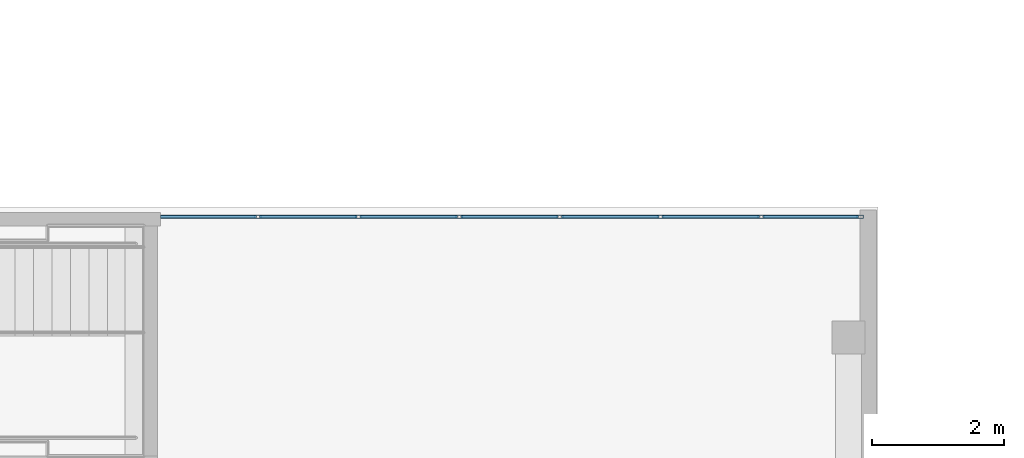
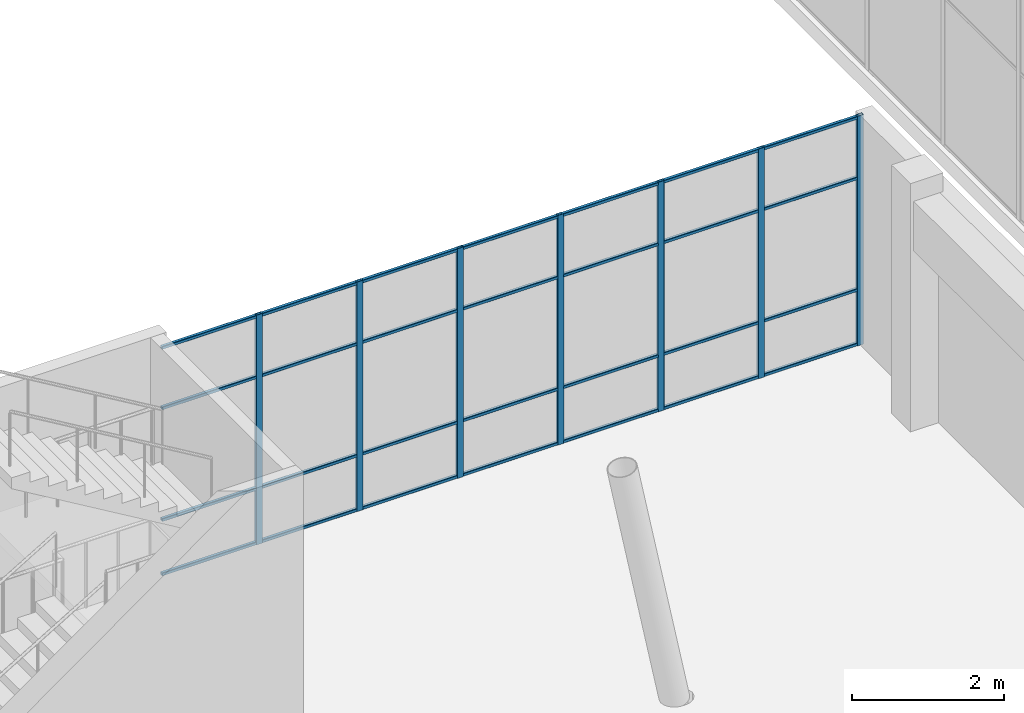
# One storey, part 25 of 66: 35 members, 1 element without a shape of its own.
"""IFC4 building model written with IfcOpenShell, lengths in metres."""

from ifc_helpers import new_model, si_unit, direction, frame, origin, origin_2d, place, context, subcontext, project, spatial, hollow_rectangle, extrude, material, layer, layer_set, material_profile, profile_set, type_object, element, aggregate, save


model = new_model("IFC4")

# Units and contexts
model_context = context("Model", 3, precision=1e-05, world=origin(), true_north=direction((0.0, 1.0)))
body_context = subcontext(model_context, "Body", "Model", "MODEL_VIEW")
ifc_project = project(units=[si_unit("LENGTHUNIT", "METRE"), si_unit("AREAUNIT", "SQUARE_METRE"), si_unit("VOLUMEUNIT", "CUBIC_METRE"), si_unit("PLANEANGLEUNIT", "RADIAN"), si_unit("MASSUNIT", "GRAM", prefix="KILO")], contexts=[model_context])

# Site, building, storey
site_placement = place(None, origin())
site = spatial("IfcSite", under=ifc_project, at=site_placement, CompositionType="ELEMENT")
building_placement = place(site_placement, origin())
building = spatial("IfcBuilding", under=site, at=building_placement, Name="Tuart Plaza Theatre", CompositionType="ELEMENT")
storey_placement = place(building_placement, frame((0.0, 0.0, 5.5)))
storey = spatial("IfcBuildingStorey", under=building, at=storey_placement, Name="L01", CompositionType="ELEMENT", Elevation=5.5)

# Curtain wall, members
ifc_material_1 = material(Name="Aluminium and glass", Category="aluminium")
ifc_layer = layer(ifc_material_1, 0.10009765625)
ifc_layer_set = layer_set([ifc_layer], Name="CURTAIN WALL 1500 module")
curtain_wall_type = type_object("IfcCurtainWallType", Name="CURTAIN WALL 1500 module", PredefinedType="NOTDEFINED", material=ifc_layer_set)
curtain_wall_placement = place(storey_placement, origin())
curtain_wall = element("IfcCurtainWall", 1, at=curtain_wall_placement, inside=storey, type_object=curtain_wall_type, Name="CW24", PredefinedType="NOTDEFINED")
ifc_material_2 = material(Name="Aluminium 6063-T5", Category="aluminium")
ifc_material_profile_1 = material_profile(ifc_material_2, hollow_rectangle(XDim=0.050048828125, YDim=0.10009765625, WallThickness=0.00390625, InnerFilletRadius=0.00390625, OuterFilletRadius=0.008056640625, at=origin_2d()), Name="RHS 100x50x4")
ifc_profile_set_1 = profile_set([ifc_material_profile_1], Name="Aluminium 6063-T5")
member_type_1 = type_object("IfcMemberType", Name="MULLION RHS 100x50x4", PredefinedType="MULLION", material=ifc_profile_set_1)
member_1_placement = place(storey_placement, frame((100.930419921875, 79.8369140625, 0.0), z_axis=(0.0, 0.0, 1.0), x_axis=(0.0, 1.0, 0.0)))
member_1 = element("IfcMember", 2, at=member_1_placement, type_object=member_type_1, Name="CW24 mullion 2", PredefinedType="MULLION", context=body_context, shape_type="SweptSolid", body=[
    extrude(hollow_rectangle(XDim=0.050048828125, YDim=0.10009765625, WallThickness=0.00390625, InnerFilletRadius=0.00390625, OuterFilletRadius=0.008056640625, at=origin_2d()), origin(), (0.0, 0.0, 1.0), 3.699951171875),
])
member_2_placement = place(storey_placement, frame((102.4609375, 79.8369140625, 0.0), z_axis=(0.0, 0.0, 1.0), x_axis=(0.0, 1.0, 0.0)))
member_2 = element("IfcMember", 3, at=member_2_placement, type_object=member_type_1, Name="CW24 mullion 3", PredefinedType="MULLION", context=body_context, shape_type="SweptSolid", body=[
    extrude(hollow_rectangle(XDim=0.050048828125, YDim=0.10009765625, WallThickness=0.00390625, InnerFilletRadius=0.00390625, OuterFilletRadius=0.008056640625, at=origin_2d()), origin(), (0.0, 0.0, 1.0), 3.699951171875),
])
member_3_placement = place(storey_placement, frame((103.9912109375, 79.8369140625, 0.0), z_axis=(0.0, 0.0, 1.0), x_axis=(0.0, 1.0, 0.0)))
member_3 = element("IfcMember", 4, at=member_3_placement, type_object=member_type_1, Name="CW24 mullion 4", PredefinedType="MULLION", context=body_context, shape_type="SweptSolid", body=[
    extrude(hollow_rectangle(XDim=0.050048828125, YDim=0.10009765625, WallThickness=0.00390625, InnerFilletRadius=0.00390625, OuterFilletRadius=0.008056640625, at=origin_2d()), origin(), (0.0, 0.0, 1.0), 3.699951171875),
])
member_4_placement = place(storey_placement, frame((105.521728515625, 79.8369140625, 0.0), z_axis=(0.0, 0.0, 1.0), x_axis=(0.0, 1.0, 0.0)))
member_4 = element("IfcMember", 5, at=member_4_placement, type_object=member_type_1, Name="CW24 mullion 5", PredefinedType="MULLION", context=body_context, shape_type="SweptSolid", body=[
    extrude(hollow_rectangle(XDim=0.050048828125, YDim=0.10009765625, WallThickness=0.00390625, InnerFilletRadius=0.00390625, OuterFilletRadius=0.008056640625, at=origin_2d()), origin(), (0.0, 0.0, 1.0), 3.699951171875),
])
member_5_placement = place(storey_placement, frame((107.05224609375, 79.8369140625, 0.0), z_axis=(0.0, 0.0, 1.0), x_axis=(0.0, 1.0, 0.0)))
member_5 = element("IfcMember", 6, at=member_5_placement, type_object=member_type_1, Name="CW24 mullion 6", PredefinedType="MULLION", context=body_context, shape_type="SweptSolid", body=[
    extrude(hollow_rectangle(XDim=0.050048828125, YDim=0.10009765625, WallThickness=0.00390625, InnerFilletRadius=0.00390625, OuterFilletRadius=0.008056640625, at=origin_2d()), origin(), (0.0, 0.0, 1.0), 3.699951171875),
])
member_6_placement = place(storey_placement, frame((108.58251953125, 79.8369140625, 0.0), z_axis=(0.0, 0.0, 1.0), x_axis=(0.0, 1.0, 0.0)))
member_6 = element("IfcMember", 7, at=member_6_placement, type_object=member_type_1, Name="CW24 mullion 7", PredefinedType="MULLION", context=body_context, shape_type="SweptSolid", body=[
    extrude(hollow_rectangle(XDim=0.050048828125, YDim=0.10009765625, WallThickness=0.00390625, InnerFilletRadius=0.00390625, OuterFilletRadius=0.008056640625, at=origin_2d()), origin(), (0.0, 0.0, 1.0), 3.699951171875),
])
member_7_placement = place(storey_placement, frame((110.087890625, 79.8369140625, 0.0), z_axis=(0.0, 0.0, 1.0), x_axis=(0.0, 1.0, 0.0)))
member_7 = element("IfcMember", 8, at=member_7_placement, type_object=member_type_1, Name="CW24 mullion 8", PredefinedType="MULLION", context=body_context, shape_type="SweptSolid", body=[
    extrude(hollow_rectangle(XDim=0.050048828125, YDim=0.10009765625, WallThickness=0.00390625, InnerFilletRadius=0.00390625, OuterFilletRadius=0.008056640625, at=origin_2d()), origin(), (0.0, 0.0, 1.0), 3.699951171875),
])
ifc_material_3 = material(Name="Aluminium 6063-T5", Category="aluminium")
ifc_material_profile_2 = material_profile(ifc_material_3, hollow_rectangle(XDim=0.050048828125, YDim=0.050048828125, WallThickness=0.00390625, InnerFilletRadius=0.00390625, OuterFilletRadius=0.008056640625, at=origin_2d()), Name="RHS 50x50x4")
ifc_profile_set_2 = profile_set([ifc_material_profile_2], Name="Aluminium 6063-T5")
member_type_2 = type_object("IfcMemberType", Name="TRANSOM RHS 50x50x4", PredefinedType="USERDEFINED", material=ifc_profile_set_2)
member_8_placement = place(storey_placement, frame((99.449951171875, 79.8369140625, 0.02490234375), z_axis=(1.0, 0.0, 0.0), x_axis=(0.0, 1.0, 0.0)))
member_8 = element("IfcMember", 9, at=member_8_placement, type_object=member_type_2, Name="CW24 transom 1.1", ObjectType="TRANSOM", PredefinedType="USERDEFINED", context=body_context, shape_type="SweptSolid", body=[
    extrude(hollow_rectangle(XDim=0.050048828125, YDim=0.050048828125, WallThickness=0.00390625, InnerFilletRadius=0.00390625, OuterFilletRadius=0.008056640625, at=origin_2d()), origin(), (0.0, 0.0, 1.0), 1.45556640625),
])
member_9_placement = place(storey_placement, frame((99.449951171875, 79.8369140625, 0.89990234375), z_axis=(1.0, 0.0, 0.0), x_axis=(0.0, 1.0, 0.0)))
member_9 = element("IfcMember", 10, at=member_9_placement, type_object=member_type_2, Name="CW24 transom 1.2", ObjectType="TRANSOM", PredefinedType="USERDEFINED", context=body_context, shape_type="SweptSolid", body=[
    extrude(hollow_rectangle(XDim=0.050048828125, YDim=0.050048828125, WallThickness=0.00390625, InnerFilletRadius=0.00390625, OuterFilletRadius=0.008056640625, at=origin_2d()), origin(), (0.0, 0.0, 1.0), 1.45556640625),
])
member_10_placement = place(storey_placement, frame((99.449951171875, 79.8369140625, 2.699951171875), z_axis=(1.0, 0.0, 0.0), x_axis=(0.0, 1.0, 0.0)))
member_10 = element("IfcMember", 11, at=member_10_placement, type_object=member_type_2, Name="CW24 transom 1.3", ObjectType="TRANSOM", PredefinedType="USERDEFINED", context=body_context, shape_type="SweptSolid", body=[
    extrude(hollow_rectangle(XDim=0.050048828125, YDim=0.050048828125, WallThickness=0.00390625, InnerFilletRadius=0.00390625, OuterFilletRadius=0.008056640625, at=origin_2d()), origin(), (0.0, 0.0, 1.0), 1.45556640625),
])
member_11_placement = place(storey_placement, frame((99.449951171875, 79.8369140625, 3.675048828125), z_axis=(1.0, 0.0, 0.0), x_axis=(0.0, 1.0, 0.0)))
member_11 = element("IfcMember", 12, at=member_11_placement, type_object=member_type_2, Name="CW24 transom 1.4", ObjectType="TRANSOM", PredefinedType="USERDEFINED", context=body_context, shape_type="SweptSolid", body=[
    extrude(hollow_rectangle(XDim=0.050048828125, YDim=0.050048828125, WallThickness=0.00390625, InnerFilletRadius=0.00390625, OuterFilletRadius=0.008056640625, at=origin_2d()), origin(), (0.0, 0.0, 1.0), 1.45556640625),
])
member_12_placement = place(storey_placement, frame((100.955322265625, 79.8369140625, 0.02490234375), z_axis=(1.0, 0.0, 0.0), x_axis=(0.0, 1.0, 0.0)))
member_12 = element("IfcMember", 13, at=member_12_placement, type_object=member_type_2, Name="CW24 transom 2.1", ObjectType="TRANSOM", PredefinedType="USERDEFINED", context=body_context, shape_type="SweptSolid", body=[
    extrude(hollow_rectangle(XDim=0.050048828125, YDim=0.050048828125, WallThickness=0.00390625, InnerFilletRadius=0.00390625, OuterFilletRadius=0.008056640625, at=origin_2d()), origin(), (0.0, 0.0, 1.0), 1.48046875),
])
member_13_placement = place(storey_placement, frame((100.955322265625, 79.8369140625, 0.89990234375), z_axis=(1.0, 0.0, 0.0), x_axis=(0.0, 1.0, 0.0)))
member_13 = element("IfcMember", 14, at=member_13_placement, type_object=member_type_2, Name="CW24 transom 2.2", ObjectType="TRANSOM", PredefinedType="USERDEFINED", context=body_context, shape_type="SweptSolid", body=[
    extrude(hollow_rectangle(XDim=0.050048828125, YDim=0.050048828125, WallThickness=0.00390625, InnerFilletRadius=0.00390625, OuterFilletRadius=0.008056640625, at=origin_2d()), origin(), (0.0, 0.0, 1.0), 1.48046875),
])
member_14_placement = place(storey_placement, frame((100.955322265625, 79.8369140625, 2.699951171875), z_axis=(1.0, 0.0, 0.0), x_axis=(0.0, 1.0, 0.0)))
member_14 = element("IfcMember", 15, at=member_14_placement, type_object=member_type_2, Name="CW24 transom 2.3", ObjectType="TRANSOM", PredefinedType="USERDEFINED", context=body_context, shape_type="SweptSolid", body=[
    extrude(hollow_rectangle(XDim=0.050048828125, YDim=0.050048828125, WallThickness=0.00390625, InnerFilletRadius=0.00390625, OuterFilletRadius=0.008056640625, at=origin_2d()), origin(), (0.0, 0.0, 1.0), 1.48046875),
])
member_15_placement = place(storey_placement, frame((100.955322265625, 79.8369140625, 3.675048828125), z_axis=(1.0, 0.0, 0.0), x_axis=(0.0, 1.0, 0.0)))
member_15 = element("IfcMember", 16, at=member_15_placement, type_object=member_type_2, Name="CW24 transom 2.4", ObjectType="TRANSOM", PredefinedType="USERDEFINED", context=body_context, shape_type="SweptSolid", body=[
    extrude(hollow_rectangle(XDim=0.050048828125, YDim=0.050048828125, WallThickness=0.00390625, InnerFilletRadius=0.00390625, OuterFilletRadius=0.008056640625, at=origin_2d()), origin(), (0.0, 0.0, 1.0), 1.48046875),
])
member_16_placement = place(storey_placement, frame((102.48583984375, 79.8369140625, 0.02490234375), z_axis=(1.0, 0.0, 0.0), x_axis=(0.0, 1.0, 0.0)))
member_16 = element("IfcMember", 17, at=member_16_placement, type_object=member_type_2, Name="CW24 transom 3.1", ObjectType="TRANSOM", PredefinedType="USERDEFINED", context=body_context, shape_type="SweptSolid", body=[
    extrude(hollow_rectangle(XDim=0.050048828125, YDim=0.050048828125, WallThickness=0.00390625, InnerFilletRadius=0.00390625, OuterFilletRadius=0.008056640625, at=origin_2d()), origin(), (0.0, 0.0, 1.0), 1.48046875),
])
member_17_placement = place(storey_placement, frame((102.48583984375, 79.8369140625, 0.89990234375), z_axis=(1.0, 0.0, 0.0), x_axis=(0.0, 1.0, 0.0)))
member_17 = element("IfcMember", 18, at=member_17_placement, type_object=member_type_2, Name="CW24 transom 3.2", ObjectType="TRANSOM", PredefinedType="USERDEFINED", context=body_context, shape_type="SweptSolid", body=[
    extrude(hollow_rectangle(XDim=0.050048828125, YDim=0.050048828125, WallThickness=0.00390625, InnerFilletRadius=0.00390625, OuterFilletRadius=0.008056640625, at=origin_2d()), origin(), (0.0, 0.0, 1.0), 1.48046875),
])
member_18_placement = place(storey_placement, frame((102.48583984375, 79.8369140625, 2.699951171875), z_axis=(1.0, 0.0, 0.0), x_axis=(0.0, 1.0, 0.0)))
member_18 = element("IfcMember", 19, at=member_18_placement, type_object=member_type_2, Name="CW24 transom 3.3", ObjectType="TRANSOM", PredefinedType="USERDEFINED", context=body_context, shape_type="SweptSolid", body=[
    extrude(hollow_rectangle(XDim=0.050048828125, YDim=0.050048828125, WallThickness=0.00390625, InnerFilletRadius=0.00390625, OuterFilletRadius=0.008056640625, at=origin_2d()), origin(), (0.0, 0.0, 1.0), 1.48046875),
])
member_19_placement = place(storey_placement, frame((102.48583984375, 79.8369140625, 3.675048828125), z_axis=(1.0, 0.0, 0.0), x_axis=(0.0, 1.0, 0.0)))
member_19 = element("IfcMember", 20, at=member_19_placement, type_object=member_type_2, Name="CW24 transom 3.4", ObjectType="TRANSOM", PredefinedType="USERDEFINED", context=body_context, shape_type="SweptSolid", body=[
    extrude(hollow_rectangle(XDim=0.050048828125, YDim=0.050048828125, WallThickness=0.00390625, InnerFilletRadius=0.00390625, OuterFilletRadius=0.008056640625, at=origin_2d()), origin(), (0.0, 0.0, 1.0), 1.48046875),
])
member_20_placement = place(storey_placement, frame((104.016357421875, 79.8369140625, 0.02490234375), z_axis=(1.0, 0.0, 0.0), x_axis=(0.0, 1.0, 0.0)))
member_20 = element("IfcMember", 21, at=member_20_placement, type_object=member_type_2, Name="CW24 transom 4.1", ObjectType="TRANSOM", PredefinedType="USERDEFINED", context=body_context, shape_type="SweptSolid", body=[
    extrude(hollow_rectangle(XDim=0.050048828125, YDim=0.050048828125, WallThickness=0.00390625, InnerFilletRadius=0.00390625, OuterFilletRadius=0.008056640625, at=origin_2d()), origin(), (0.0, 0.0, 1.0), 1.48046875),
])
member_21_placement = place(storey_placement, frame((104.016357421875, 79.8369140625, 0.89990234375), z_axis=(1.0, 0.0, 0.0), x_axis=(0.0, 1.0, 0.0)))
member_21 = element("IfcMember", 22, at=member_21_placement, type_object=member_type_2, Name="CW24 transom 4.2", ObjectType="TRANSOM", PredefinedType="USERDEFINED", context=body_context, shape_type="SweptSolid", body=[
    extrude(hollow_rectangle(XDim=0.050048828125, YDim=0.050048828125, WallThickness=0.00390625, InnerFilletRadius=0.00390625, OuterFilletRadius=0.008056640625, at=origin_2d()), origin(), (0.0, 0.0, 1.0), 1.48046875),
])
member_22_placement = place(storey_placement, frame((104.016357421875, 79.8369140625, 2.699951171875), z_axis=(1.0, 0.0, 0.0), x_axis=(0.0, 1.0, 0.0)))
member_22 = element("IfcMember", 23, at=member_22_placement, type_object=member_type_2, Name="CW24 transom 4.3", ObjectType="TRANSOM", PredefinedType="USERDEFINED", context=body_context, shape_type="SweptSolid", body=[
    extrude(hollow_rectangle(XDim=0.050048828125, YDim=0.050048828125, WallThickness=0.00390625, InnerFilletRadius=0.00390625, OuterFilletRadius=0.008056640625, at=origin_2d()), origin(), (0.0, 0.0, 1.0), 1.48046875),
])
member_23_placement = place(storey_placement, frame((104.016357421875, 79.8369140625, 3.675048828125), z_axis=(1.0, 0.0, 0.0), x_axis=(0.0, 1.0, 0.0)))
member_23 = element("IfcMember", 24, at=member_23_placement, type_object=member_type_2, Name="CW24 transom 4.4", ObjectType="TRANSOM", PredefinedType="USERDEFINED", context=body_context, shape_type="SweptSolid", body=[
    extrude(hollow_rectangle(XDim=0.050048828125, YDim=0.050048828125, WallThickness=0.00390625, InnerFilletRadius=0.00390625, OuterFilletRadius=0.008056640625, at=origin_2d()), origin(), (0.0, 0.0, 1.0), 1.48046875),
])
member_24_placement = place(storey_placement, frame((105.546630859375, 79.8369140625, 0.02490234375), z_axis=(1.0, 0.0, 0.0), x_axis=(0.0, 1.0, 0.0)))
member_24 = element("IfcMember", 25, at=member_24_placement, type_object=member_type_2, Name="CW24 transom 5.1", ObjectType="TRANSOM", PredefinedType="USERDEFINED", context=body_context, shape_type="SweptSolid", body=[
    extrude(hollow_rectangle(XDim=0.050048828125, YDim=0.050048828125, WallThickness=0.00390625, InnerFilletRadius=0.00390625, OuterFilletRadius=0.008056640625, at=origin_2d()), origin(), (0.0, 0.0, 1.0), 1.48046875),
])
member_25_placement = place(storey_placement, frame((105.546630859375, 79.8369140625, 0.89990234375), z_axis=(1.0, 0.0, 0.0), x_axis=(0.0, 1.0, 0.0)))
member_25 = element("IfcMember", 26, at=member_25_placement, type_object=member_type_2, Name="CW24 transom 5.2", ObjectType="TRANSOM", PredefinedType="USERDEFINED", context=body_context, shape_type="SweptSolid", body=[
    extrude(hollow_rectangle(XDim=0.050048828125, YDim=0.050048828125, WallThickness=0.00390625, InnerFilletRadius=0.00390625, OuterFilletRadius=0.008056640625, at=origin_2d()), origin(), (0.0, 0.0, 1.0), 1.48046875),
])
member_26_placement = place(storey_placement, frame((105.546630859375, 79.8369140625, 2.699951171875), z_axis=(1.0, 0.0, 0.0), x_axis=(0.0, 1.0, 0.0)))
member_26 = element("IfcMember", 27, at=member_26_placement, type_object=member_type_2, Name="CW24 transom 5.3", ObjectType="TRANSOM", PredefinedType="USERDEFINED", context=body_context, shape_type="SweptSolid", body=[
    extrude(hollow_rectangle(XDim=0.050048828125, YDim=0.050048828125, WallThickness=0.00390625, InnerFilletRadius=0.00390625, OuterFilletRadius=0.008056640625, at=origin_2d()), origin(), (0.0, 0.0, 1.0), 1.48046875),
])
member_27_placement = place(storey_placement, frame((105.546630859375, 79.8369140625, 3.675048828125), z_axis=(1.0, 0.0, 0.0), x_axis=(0.0, 1.0, 0.0)))
member_27 = element("IfcMember", 28, at=member_27_placement, type_object=member_type_2, Name="CW24 transom 5.4", ObjectType="TRANSOM", PredefinedType="USERDEFINED", context=body_context, shape_type="SweptSolid", body=[
    extrude(hollow_rectangle(XDim=0.050048828125, YDim=0.050048828125, WallThickness=0.00390625, InnerFilletRadius=0.00390625, OuterFilletRadius=0.008056640625, at=origin_2d()), origin(), (0.0, 0.0, 1.0), 1.48046875),
])
member_28_placement = place(storey_placement, frame((107.0771484375, 79.8369140625, 0.02490234375), z_axis=(1.0, 0.0, 0.0), x_axis=(0.0, 1.0, 0.0)))
member_28 = element("IfcMember", 29, at=member_28_placement, type_object=member_type_2, Name="CW24 transom 6.1", ObjectType="TRANSOM", PredefinedType="USERDEFINED", context=body_context, shape_type="SweptSolid", body=[
    extrude(hollow_rectangle(XDim=0.050048828125, YDim=0.050048828125, WallThickness=0.00390625, InnerFilletRadius=0.00390625, OuterFilletRadius=0.008056640625, at=origin_2d()), origin(), (0.0, 0.0, 1.0), 1.48046875),
])
member_29_placement = place(storey_placement, frame((107.0771484375, 79.8369140625, 0.89990234375), z_axis=(1.0, 0.0, 0.0), x_axis=(0.0, 1.0, 0.0)))
member_29 = element("IfcMember", 30, at=member_29_placement, type_object=member_type_2, Name="CW24 transom 6.2", ObjectType="TRANSOM", PredefinedType="USERDEFINED", context=body_context, shape_type="SweptSolid", body=[
    extrude(hollow_rectangle(XDim=0.050048828125, YDim=0.050048828125, WallThickness=0.00390625, InnerFilletRadius=0.00390625, OuterFilletRadius=0.008056640625, at=origin_2d()), origin(), (0.0, 0.0, 1.0), 1.48046875),
])
member_30_placement = place(storey_placement, frame((107.0771484375, 79.8369140625, 2.699951171875), z_axis=(1.0, 0.0, 0.0), x_axis=(0.0, 1.0, 0.0)))
member_30 = element("IfcMember", 31, at=member_30_placement, type_object=member_type_2, Name="CW24 transom 6.3", ObjectType="TRANSOM", PredefinedType="USERDEFINED", context=body_context, shape_type="SweptSolid", body=[
    extrude(hollow_rectangle(XDim=0.050048828125, YDim=0.050048828125, WallThickness=0.00390625, InnerFilletRadius=0.00390625, OuterFilletRadius=0.008056640625, at=origin_2d()), origin(), (0.0, 0.0, 1.0), 1.48046875),
])
member_31_placement = place(storey_placement, frame((107.0771484375, 79.8369140625, 3.675048828125), z_axis=(1.0, 0.0, 0.0), x_axis=(0.0, 1.0, 0.0)))
member_31 = element("IfcMember", 32, at=member_31_placement, type_object=member_type_2, Name="CW24 transom 6.4", ObjectType="TRANSOM", PredefinedType="USERDEFINED", context=body_context, shape_type="SweptSolid", body=[
    extrude(hollow_rectangle(XDim=0.050048828125, YDim=0.050048828125, WallThickness=0.00390625, InnerFilletRadius=0.00390625, OuterFilletRadius=0.008056640625, at=origin_2d()), origin(), (0.0, 0.0, 1.0), 1.48046875),
])
member_32_placement = place(storey_placement, frame((108.607666015625, 79.8369140625, 0.02490234375), z_axis=(1.0, 0.0, 0.0), x_axis=(0.0, 1.0, 0.0)))
member_32 = element("IfcMember", 33, at=member_32_placement, type_object=member_type_2, Name="CW24 transom 7.1", ObjectType="TRANSOM", PredefinedType="USERDEFINED", context=body_context, shape_type="SweptSolid", body=[
    extrude(hollow_rectangle(XDim=0.050048828125, YDim=0.050048828125, WallThickness=0.00390625, InnerFilletRadius=0.00390625, OuterFilletRadius=0.008056640625, at=origin_2d()), origin(), (0.0, 0.0, 1.0), 1.455322265625),
])
member_33_placement = place(storey_placement, frame((108.607666015625, 79.8369140625, 0.89990234375), z_axis=(1.0, 0.0, 0.0), x_axis=(0.0, 1.0, 0.0)))
member_33 = element("IfcMember", 34, at=member_33_placement, type_object=member_type_2, Name="CW24 transom 7.2", ObjectType="TRANSOM", PredefinedType="USERDEFINED", context=body_context, shape_type="SweptSolid", body=[
    extrude(hollow_rectangle(XDim=0.050048828125, YDim=0.050048828125, WallThickness=0.00390625, InnerFilletRadius=0.00390625, OuterFilletRadius=0.008056640625, at=origin_2d()), origin(), (0.0, 0.0, 1.0), 1.455322265625),
])
member_34_placement = place(storey_placement, frame((108.607666015625, 79.8369140625, 2.699951171875), z_axis=(1.0, 0.0, 0.0), x_axis=(0.0, 1.0, 0.0)))
member_34 = element("IfcMember", 35, at=member_34_placement, type_object=member_type_2, Name="CW24 transom 7.3", ObjectType="TRANSOM", PredefinedType="USERDEFINED", context=body_context, shape_type="SweptSolid", body=[
    extrude(hollow_rectangle(XDim=0.050048828125, YDim=0.050048828125, WallThickness=0.00390625, InnerFilletRadius=0.00390625, OuterFilletRadius=0.008056640625, at=origin_2d()), origin(), (0.0, 0.0, 1.0), 1.455322265625),
])
member_35_placement = place(storey_placement, frame((108.607666015625, 79.8369140625, 3.675048828125), z_axis=(1.0, 0.0, 0.0), x_axis=(0.0, 1.0, 0.0)))
member_35 = element("IfcMember", 36, at=member_35_placement, type_object=member_type_2, Name="CW24 transom 7.4", ObjectType="TRANSOM", PredefinedType="USERDEFINED", context=body_context, shape_type="SweptSolid", body=[
    extrude(hollow_rectangle(XDim=0.050048828125, YDim=0.050048828125, WallThickness=0.00390625, InnerFilletRadius=0.00390625, OuterFilletRadius=0.008056640625, at=origin_2d()), origin(), (0.0, 0.0, 1.0), 1.455322265625),
])
aggregate(curtain_wall, [member_1, member_2, member_3, member_4, member_5, member_6, member_7, member_8, member_9, member_10, member_11, member_12, member_13, member_14, member_15, member_16, member_17, member_18, member_19, member_20, member_21, member_22, member_23, member_24, member_25, member_26, member_27, member_28, member_29, member_30, member_31, member_32, member_33, member_34, member_35])

save(model, "model.ifc")
